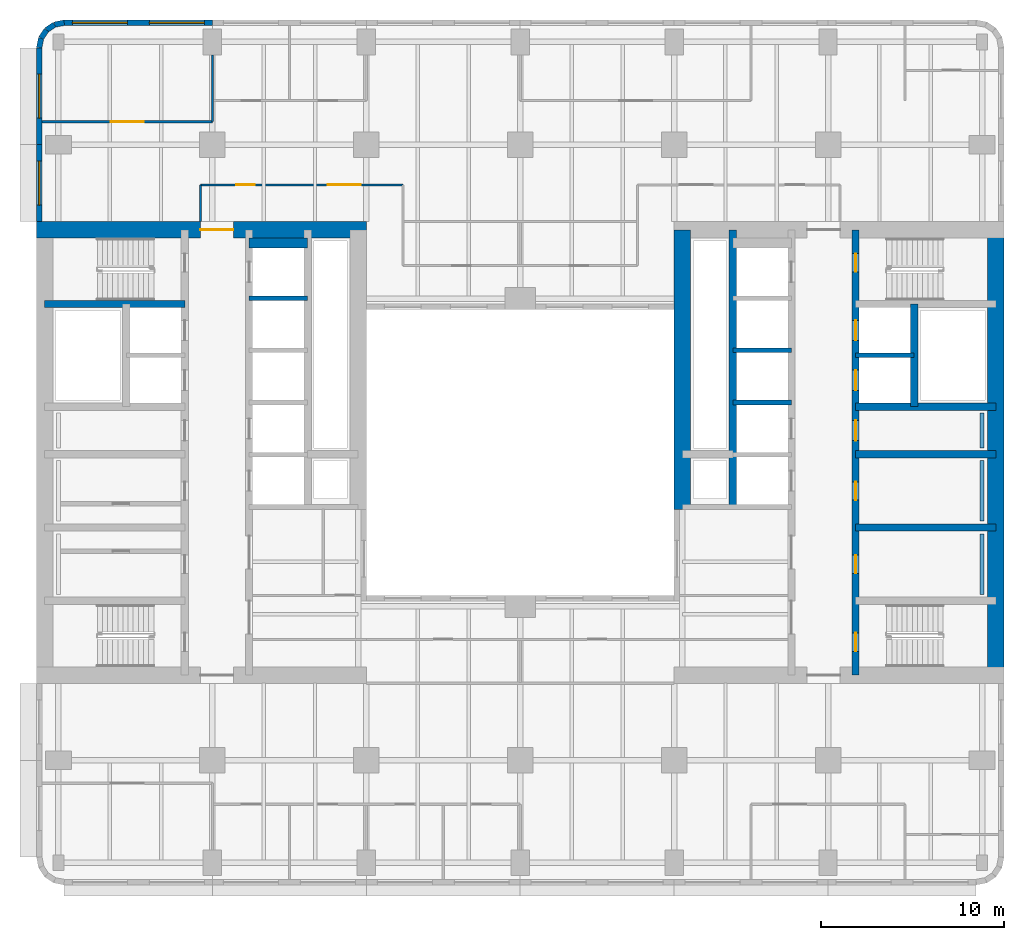
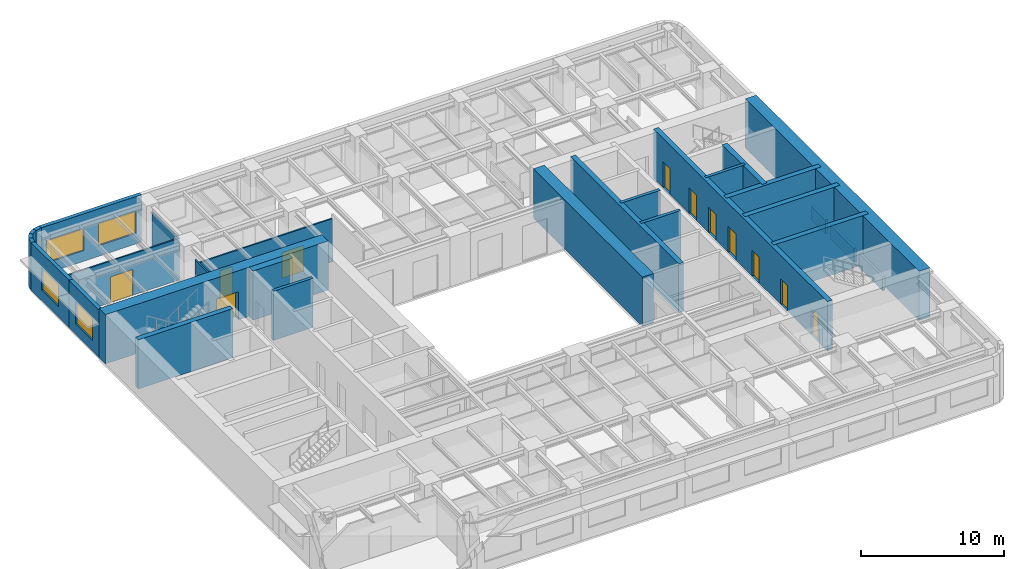
# One storey, part 6 of 11: 29 walls, 11 doors, 4 windows, 15 openings.
"""IFC4 building model written with IfcOpenShell, lengths in metres."""

from ifc_helpers import new_model, si_unit, direction, frame, frame_2d, origin, place, context, subcontext, project, spatial, rectangle, extrude, material, layer, layer_set, type_object, element, fill, save


model = new_model("IFC4")

# Units and contexts
model_context = context("Model", 3, precision=1e-05, world=origin(), true_north=direction((0.0, 1.0)))
body_context = subcontext(model_context, "Body", "Model", "MODEL_VIEW")
ifc_project = project(units=[si_unit("LENGTHUNIT", "METRE"), si_unit("AREAUNIT", "SQUARE_METRE"), si_unit("VOLUMEUNIT", "CUBIC_METRE"), si_unit("PLANEANGLEUNIT", "RADIAN"), si_unit("MASSUNIT", "GRAM", prefix="KILO")], contexts=[model_context])

# Site, building, storey
site_placement = place(None, origin())
site = spatial("IfcSite", under=ifc_project, at=site_placement, CompositionType="ELEMENT")
building_placement = place(site_placement, origin())
building = spatial("IfcBuilding", under=site, at=building_placement, Name="Claustro Exchange Tower", CompositionType="ELEMENT")
storey_placement = place(building_placement, frame((0.0, 0.0, 121.800048828125)))
storey = spatial("IfcBuildingStorey", under=building, at=storey_placement, Name="L27", CompositionType="ELEMENT", Elevation=121.800048828125)

# Wall, opening, door
ifc_material_1 = material(Name="Laminated glass in aluminium frame", Category="aluminium")
ifc_layer_1 = layer(ifc_material_1, 0.1201171875)
ifc_layer_set_1 = layer_set([ifc_layer_1], Name="Laminated glass in aluminium frame")
wall_type_1 = type_object("IfcWallType", Name="P2 120 glazed partition", PredefinedType="PARTITIONING", material=ifc_layer_set_1)
wall_1_placement = place(storey_placement, frame((-0.902099609375, 43.25, 0.0), z_axis=(0.0, 0.0, 1.0), x_axis=(1.0, 0.0, 0.0)))
wall_1 = element("IfcWall", 1, at=wall_1_placement, inside=storey, type_object=wall_type_1, Name="Partition P2 L27", PredefinedType="PARTITIONING", context=body_context, shape_type="SweptSolid", body=[
    extrude(rectangle(XDim=9.302001953125, YDim=0.1201171875, at=frame_2d((4.65087890625, 0.0))), origin(), (0.0, 0.0, 1.0), 3.550048828125),
])
opening_1_placement = place(wall_1_placement, frame((3.751953125, 0.0, 0.0)))
opening_1 = element("IfcOpeningElement", 2, at=opening_1_placement, cuts=wall_1, Name="Opening D2", PredefinedType="OPENING", context=body_context, shape_type="SweptSolid", body=[
    extrude(rectangle(XDim=1.800048828125, YDim=2.199951171875, at=frame_2d((0.89990234375, 1.10009765625))), frame((0.0, 0.070068359375, 0.0), z_axis=(0.0, -1.0, 0.0), x_axis=(1.0, 0.0, 0.0)), (0.0, 0.0, 1.0), 0.14013671875),
])
ifc_material_2 = material(Name="Timber door, oak veneer", Category="wood")
door_type_1 = type_object("IfcDoorType", Name="D2 1800 x 2200 double door", OperationType="DOUBLE_DOOR_SINGLE_SWING", PredefinedType="DOOR", material=ifc_material_2)
door_1_placement = place(opening_1_placement, origin())
door_1 = element("IfcDoor", 3, at=door_1_placement, inside=storey, type_object=door_type_1, Name="Double door D2 L27", OperationType="DOUBLE_DOOR_SINGLE_SWING", OverallHeight=2.199951171875, OverallWidth=1.800048828125, PredefinedType="DOOR", context=body_context, shape_type="SweptSolid", body=[
    extrude(rectangle(XDim=1.800048828125, YDim=2.199951171875, at=frame_2d((0.89990234375, 1.10009765625))), frame((0.0, 0.02490234375, 0.0), z_axis=(0.0, -1.0, 0.0), x_axis=(1.0, 0.0, 0.0)), (0.0, 0.0, 1.0), 0.050048828125),
])
fill(opening_1, door_1)

# Wall
wall_2_placement = place(storey_placement, frame((8.39990234375, 43.25, 0.0), z_axis=(0.0, 0.0, 1.0), x_axis=(0.0, 1.0, 0.0)))
element("IfcWall", 4, at=wall_2_placement, inside=storey, type_object=wall_type_1, Name="Partition P2 L27", PredefinedType="PARTITIONING", context=body_context, shape_type="SweptSolid", body=[
    extrude(rectangle(XDim=3.65087890625, YDim=0.1201171875, at=frame_2d((1.825439453125, 0.0))), origin(), (0.0, 0.0, 1.0), 3.550048828125),
])

# Wall, openings, doors
wall_3_placement = place(storey_placement, frame((7.75, 39.800048828125, 0.0), z_axis=(0.0, 0.0, 1.0), x_axis=(1.0, 0.0, 0.0)))
wall_3 = element("IfcWall", 5, at=wall_3_placement, inside=storey, type_object=wall_type_1, Name="Partition P2 L27", PredefinedType="PARTITIONING", context=body_context, shape_type="SweptSolid", body=[
    extrude(rectangle(XDim=11.050048828125, YDim=0.1201171875, at=frame_2d((5.52490234375, 0.0))), origin(), (0.0, 0.0, 1.0), 3.68994140625),
])
opening_2_placement = place(wall_3_placement, frame((1.949951171875, 0.0, 0.0)))
opening_2 = element("IfcOpeningElement", 6, at=opening_2_placement, cuts=wall_3, Name="Opening D7", PredefinedType="OPENING", context=body_context, shape_type="SweptSolid", body=[
    extrude(rectangle(XDim=1.0, YDim=2.39990234375, at=frame_2d((0.5, 1.199951171875))), frame((0.0, 0.070068359375, 0.0), z_axis=(0.0, -1.0, 0.0), x_axis=(1.0, 0.0, 0.0)), (0.0, 0.0, 1.0), 0.14013671875),
])
opening_3_placement = place(wall_3_placement, frame((6.949951171875, 0.0, 0.0)))
opening_3 = element("IfcOpeningElement", 7, at=opening_3_placement, cuts=wall_3, Name="Opening D2", PredefinedType="OPENING", context=body_context, shape_type="SweptSolid", body=[
    extrude(rectangle(XDim=1.800048828125, YDim=2.199951171875, at=frame_2d((0.89990234375, 1.10009765625))), frame((0.0, 0.070068359375, 0.0), z_axis=(0.0, -1.0, 0.0), x_axis=(1.0, 0.0, 0.0)), (0.0, 0.0, 1.0), 0.14013671875),
])
door_2_placement = place(opening_3_placement, origin())
door_2 = element("IfcDoor", 8, at=door_2_placement, inside=storey, type_object=door_type_1, Name="Double door D2 L27", OperationType="DOUBLE_DOOR_SINGLE_SWING", OverallHeight=2.199951171875, OverallWidth=1.800048828125, PredefinedType="DOOR", context=body_context, shape_type="SweptSolid", body=[
    extrude(rectangle(XDim=1.800048828125, YDim=2.199951171875, at=frame_2d((0.89990234375, 1.10009765625))), frame((0.0, 0.02490234375, 0.0), z_axis=(0.0, -1.0, 0.0), x_axis=(1.0, 0.0, 0.0)), (0.0, 0.0, 1.0), 0.050048828125),
])
fill(opening_3, door_2)
ifc_material_3 = material(Name="Glass door in aluminium frame", Category="aluminium")
door_type_2 = type_object("IfcDoorType", Name="D7 1000 x 2400 glazed door", OperationType="SINGLE_SWING_LEFT", PredefinedType="DOOR", material=ifc_material_3)
door_3_placement = place(opening_2_placement, origin())
door_3 = element("IfcDoor", 9, at=door_3_placement, inside=storey, type_object=door_type_2, Name="Door D7 L27", OperationType="SINGLE_SWING_LEFT", OverallHeight=2.39990234375, OverallWidth=1.0, PredefinedType="DOOR", context=body_context, shape_type="SweptSolid", body=[
    extrude(rectangle(XDim=1.0, YDim=2.39990234375, at=frame_2d((0.5, 1.199951171875))), frame((0.0, 0.02490234375, 0.0), z_axis=(0.0, -1.0, 0.0), x_axis=(1.0, 0.0, 0.0)), (0.0, 0.0, 1.0), 0.050048828125),
])
fill(opening_2, door_3)

# Wall
wall_4_placement = place(storey_placement, frame((7.75, 37.800048828125, 0.0), z_axis=(0.0, 0.0, 1.0), x_axis=(0.0, 1.0, 0.0)))
element("IfcWall", 10, at=wall_4_placement, inside=storey, type_object=wall_type_1, Name="Partition P2 L27", PredefinedType="PARTITIONING", context=body_context, shape_type="SweptSolid", body=[
    extrude(rectangle(XDim=2.0, YDim=0.1201171875, at=frame_2d((1.0, 0.0))), origin(), (0.0, 0.0, 1.0), 4.050048828125),
])

# Wall, opening, window
ifc_material_4 = material(Name="Concrete HA-40 (C40/50), precast, white cement, acid-etched", Category="concrete")
ifc_layer_2 = layer(ifc_material_4, 0.300048828125)
ifc_layer_set_2 = layer_set([ifc_layer_2], Name="Concrete HA-40 (C40/50), precast, white cement, acid-etched")
wall_type_2 = type_object("IfcWallType", Name="PC1 300 precast concrete pier panel", PredefinedType="SOLIDWALL", material=ifc_layer_set_2)
wall_5_placement = place(storey_placement, frame((-1.050048828125, 37.800048828125, 0.0), z_axis=(0.0, 0.0, 1.0), x_axis=(0.0, 1.0, 0.0)))
wall_5 = element("IfcWall", 11, at=wall_5_placement, inside=storey, type_object=wall_type_2, Name="Precast pier panel PC1 L27", PredefinedType="SOLIDWALL", context=body_context, shape_type="SweptSolid", body=[
    extrude(rectangle(XDim=4.199951171875, YDim=0.300048828125, at=frame_2d((2.10009765625, 0.0))), origin(), (0.0, 0.0, 1.0), 4.050048828125),
])
opening_4_placement = place(wall_5_placement, frame((0.89990234375, 0.0, 0.89990234375)))
opening_4 = element("IfcOpeningElement", 12, at=opening_4_placement, cuts=wall_5, Name="Opening W2", PredefinedType="OPENING", context=body_context, shape_type="SweptSolid", body=[
    extrude(rectangle(XDim=2.39990234375, YDim=1.89990234375, at=frame_2d((1.199951171875, 0.949951171875))), frame((0.0, 0.159912109375, 0.0), z_axis=(0.0, -1.0, 0.0), x_axis=(1.0, 0.0, 0.0)), (0.0, 0.0, 1.0), 0.320068359375),
])
ifc_material_5 = material(Name="Aluminium frame, clear double glazing", Category="aluminium")
window_type_1 = type_object("IfcWindowType", Name="W2 2400 x 1900 window", PartitioningType="SINGLE_PANEL", PredefinedType="WINDOW", material=ifc_material_5)
window_1_placement = place(opening_4_placement, origin())
window_1 = element("IfcWindow", 13, at=window_1_placement, inside=storey, type_object=window_type_1, Name="Window W2 L27", OverallHeight=1.89990234375, OverallWidth=2.39990234375, PartitioningType="SINGLE_PANEL", PredefinedType="WINDOW", context=body_context, shape_type="SweptSolid", body=[
    extrude(rectangle(XDim=2.39990234375, YDim=1.89990234375, at=frame_2d((1.199951171875, 0.949951171875))), frame((0.0, 0.030029296875, 0.0), z_axis=(0.0, -1.0, 0.0), x_axis=(1.0, 0.0, 0.0)), (0.0, 0.0, 1.0), 0.06005859375),
])
fill(opening_4, window_1)

wall_6_placement = place(storey_placement, frame((-1.050048828125, 42.0, 0.0), z_axis=(0.0, 0.0, 1.0), x_axis=(0.0, 1.0, 0.0)))
wall_6 = element("IfcWall", 14, at=wall_6_placement, inside=storey, type_object=wall_type_2, Name="Precast pier panel PC1 L27", PredefinedType="SOLIDWALL", context=body_context, shape_type="SweptSolid", body=[
    extrude(rectangle(XDim=5.28515625, YDim=0.300048828125, at=frame_2d((2.642578125, 0.0))), origin(), (0.0, 0.0, 1.0), 4.050048828125),
])
opening_5_placement = place(wall_6_placement, frame((1.442626953125, 0.0, 0.89990234375)))
opening_5 = element("IfcOpeningElement", 15, at=opening_5_placement, cuts=wall_6, Name="Opening W2", PredefinedType="OPENING", context=body_context, shape_type="SweptSolid", body=[
    extrude(rectangle(XDim=2.39990234375, YDim=1.89990234375, at=frame_2d((1.199951171875, 0.949951171875))), frame((0.0, 0.159912109375, 0.0), z_axis=(0.0, -1.0, 0.0), x_axis=(1.0, 0.0, 0.0)), (0.0, 0.0, 1.0), 0.320068359375),
])
window_2_placement = place(opening_5_placement, origin())
window_2 = element("IfcWindow", 16, at=window_2_placement, inside=storey, type_object=window_type_1, Name="Window W2 L27", OverallHeight=1.89990234375, OverallWidth=2.39990234375, PartitioningType="SINGLE_PANEL", PredefinedType="WINDOW", context=body_context, shape_type="SweptSolid", body=[
    extrude(rectangle(XDim=2.39990234375, YDim=1.89990234375, at=frame_2d((1.199951171875, 0.949951171875))), frame((0.0, 0.030029296875, 0.0), z_axis=(0.0, -1.0, 0.0), x_axis=(1.0, 0.0, 0.0)), (0.0, 0.0, 1.0), 0.06005859375),
])
fill(opening_5, window_2)

# Walls
wall_7_placement = place(storey_placement, frame((-1.050048828125, 47.28515625, 0.0), z_axis=(0.0, 0.0, 1.0), x_axis=(0.195073962632, 0.980788534345, 0.0)))
element("IfcWall", 17, at=wall_7_placement, inside=storey, type_object=wall_type_2, Name="Precast pier panel PC1 L27", PredefinedType="SOLIDWALL", context=body_context, shape_type="SweptSolid", body=[
    extrude(rectangle(XDim=0.540771484375, YDim=0.300048828125, at=frame_2d((0.2705078125, 0.0))), origin(), (0.0, 0.0, 1.0), 4.050048828125),
])
wall_8_placement = place(storey_placement, frame((-0.944580078125, 47.8154296875, 0.0), z_axis=(0.0, 0.0, 1.0), x_axis=(0.55534295404, 0.831621430339, 0.0)))
element("IfcWall", 18, at=wall_8_placement, inside=storey, type_object=wall_type_2, Name="Precast pier panel PC1 L27", PredefinedType="SOLIDWALL", context=body_context, shape_type="SweptSolid", body=[
    extrude(rectangle(XDim=0.52587890625, YDim=0.300048828125, at=frame_2d((0.262939453125, 0.0))), origin(), (0.0, 0.0, 1.0), 4.050048828125),
])
wall_9_placement = place(storey_placement, frame((-0.652587890625, 48.252685546875, 0.0), z_axis=(0.0, 0.0, 1.0), x_axis=(0.831692711774, 0.555236195849, 0.0)))
element("IfcWall", 19, at=wall_9_placement, inside=storey, type_object=wall_type_2, Name="Precast pier panel PC1 L27", PredefinedType="SOLIDWALL", context=body_context, shape_type="SweptSolid", body=[
    extrude(rectangle(XDim=0.525390625, YDim=0.300048828125, at=frame_2d((0.2626953125, 0.0))), origin(), (0.0, 0.0, 1.0), 4.050048828125),
])
wall_10_placement = place(storey_placement, frame((-0.215576171875, 48.54443359375, 0.0), z_axis=(0.0, 0.0, 1.0), x_axis=(0.980788534345, 0.195073962632, 0.0)))
element("IfcWall", 20, at=wall_10_placement, inside=storey, type_object=wall_type_2, Name="Precast pier panel PC1 L27", PredefinedType="SOLIDWALL", context=body_context, shape_type="SweptSolid", body=[
    extrude(rectangle(XDim=0.540771484375, YDim=0.300048828125, at=frame_2d((0.2705078125, 0.0))), origin(), (0.0, 0.0, 1.0), 4.050048828125),
])

# Wall, openings, windows
wall_11_placement = place(storey_placement, frame((0.314697265625, 48.64990234375, 0.0), z_axis=(0.0, 0.0, 1.0), x_axis=(1.0, 0.0, 0.0)))
wall_11 = element("IfcWall", 21, at=wall_11_placement, inside=storey, type_object=wall_type_2, Name="Precast pier panel PC1 L27", PredefinedType="SOLIDWALL", context=body_context, shape_type="SweptSolid", body=[
    extrude(rectangle(XDim=8.085205078125, YDim=0.300048828125, at=frame_2d((4.04248046875, 0.0))), origin(), (0.0, 0.0, 1.0), 4.050048828125),
])
opening_6_placement = place(wall_11_placement, frame((0.442626953125, 0.0, 0.89990234375)))
opening_6 = element("IfcOpeningElement", 22, at=opening_6_placement, cuts=wall_11, Name="Opening W1", PredefinedType="OPENING", context=body_context, shape_type="SweptSolid", body=[
    extrude(rectangle(XDim=3.0, YDim=1.89990234375, at=frame_2d((1.5, 0.949951171875))), frame((0.0, 0.159912109375, 0.0), z_axis=(0.0, -1.0, 0.0), x_axis=(1.0, 0.0, 0.0)), (0.0, 0.0, 1.0), 0.320068359375),
])
opening_7_placement = place(wall_11_placement, frame((4.642578125, 0.0, 0.89990234375)))
opening_7 = element("IfcOpeningElement", 23, at=opening_7_placement, cuts=wall_11, Name="Opening W1", PredefinedType="OPENING", context=body_context, shape_type="SweptSolid", body=[
    extrude(rectangle(XDim=3.0, YDim=1.89990234375, at=frame_2d((1.5, 0.949951171875))), frame((0.0, 0.159912109375, 0.0), z_axis=(0.0, -1.0, 0.0), x_axis=(1.0, 0.0, 0.0)), (0.0, 0.0, 1.0), 0.320068359375),
])
ifc_material_6 = material(Name="Aluminium frame, clear double glazing", Category="aluminium")
window_type_2 = type_object("IfcWindowType", Name="W1 3000 x 1900 window", PartitioningType="SINGLE_PANEL", PredefinedType="WINDOW", material=ifc_material_6)
window_3_placement = place(opening_6_placement, origin())
window_3 = element("IfcWindow", 24, at=window_3_placement, inside=storey, type_object=window_type_2, Name="Window W1 L27", OverallHeight=1.89990234375, OverallWidth=3.0, PartitioningType="SINGLE_PANEL", PredefinedType="WINDOW", context=body_context, shape_type="SweptSolid", body=[
    extrude(rectangle(XDim=3.0, YDim=1.89990234375, at=frame_2d((1.5, 0.949951171875))), frame((0.0, 0.030029296875, 0.0), z_axis=(0.0, -1.0, 0.0), x_axis=(1.0, 0.0, 0.0)), (0.0, 0.0, 1.0), 0.06005859375),
])
fill(opening_6, window_3)
window_4_placement = place(opening_7_placement, origin())
window_4 = element("IfcWindow", 25, at=window_4_placement, inside=storey, type_object=window_type_2, Name="Window W1 L27", OverallHeight=1.89990234375, OverallWidth=3.0, PartitioningType="SINGLE_PANEL", PredefinedType="WINDOW", context=body_context, shape_type="SweptSolid", body=[
    extrude(rectangle(XDim=3.0, YDim=1.89990234375, at=frame_2d((1.5, 0.949951171875))), frame((0.0, 0.030029296875, 0.0), z_axis=(0.0, -1.0, 0.0), x_axis=(1.0, 0.0, 0.0)), (0.0, 0.0, 1.0), 0.06005859375),
])
fill(opening_7, window_4)

# Walls
ifc_material_7 = material(Name="Gypsum board on steel studs, tiled", Category="steel")
ifc_layer_3 = layer(ifc_material_7, 0.199951171875)
ifc_layer_set_3 = layer_set([ifc_layer_3], Name="Gypsum board on steel studs, tiled")
wall_type_3 = type_object("IfcWallType", Name="PW1 200 WC duct wall", PredefinedType="PLUMBINGWALL", material=ifc_layer_set_3)
for number, where, z_axis, x_axis, name in (
    (26, (50.39990234375, 17.449951171875, 0.0), (0.0, 0.0, 1.0), (0.0, 1.0, 0.0), "WC duct wall PW1 L27"),
    (27, (50.39990234375, 21.449951171875, 0.0), (0.0, 0.0, 1.0), (0.0, 1.0, 0.0), "WC duct wall PW1 L27"),
):
    element("IfcWall", number, at=place(storey_placement, frame(where, z_axis=z_axis, x_axis=x_axis)), inside=storey, type_object=wall_type_3, Name=name, PredefinedType="PLUMBINGWALL", context=body_context, shape_type="SweptSolid", body=[
        extrude(rectangle(XDim=3.300048828125, YDim=0.199951171875, at=frame_2d((1.64990234375, 0.0))), origin(), (0.0, 0.0, 1.0), 1.199951171875),
    ])
wall_12_placement = place(storey_placement, frame((50.39990234375, 25.449951171875, 0.0), z_axis=(0.0, 0.0, 1.0), x_axis=(0.0, 1.0, 0.0)))
element("IfcWall", 28, at=wall_12_placement, inside=storey, type_object=wall_type_3, Name="WC duct wall PW1 L27", PredefinedType="PLUMBINGWALL", context=body_context, shape_type="SweptSolid", body=[
    extrude(rectangle(XDim=1.900146484375, YDim=0.199951171875, at=frame_2d((0.9501953125, 0.0))), origin(), (0.0, 0.0, 1.0), 1.199951171875),
])

# Wall, opening, door
ifc_material_8 = material(Name="Concrete HA-70 (C70/85)", Category="concrete")
ifc_layer_4 = layer(ifc_material_8, 0.89990234375)
ifc_layer_set_4 = layer_set([ifc_layer_4], Name="Concrete HA-70 (C70/85)")
wall_type_4 = type_object("IfcWallType", Name="SW1 900 core shear wall", PredefinedType="SHEAR", material=ifc_layer_set_4)
wall_13_placement = place(storey_placement, frame((-1.199951171875, 37.35009765625, 0.0), z_axis=(0.0, 0.0, 1.0), x_axis=(1.0, 0.0, 0.0)))
wall_13 = element("IfcWall", 29, at=wall_13_placement, inside=storey, type_object=wall_type_4, Name="Core wall SW1 W core N face L27", PredefinedType="SHEAR", context=body_context, shape_type="SweptSolid", body=[
    extrude(rectangle(XDim=18.0, YDim=0.89990234375, at=frame_2d((9.0, 0.0))), origin(), (0.0, 0.0, 1.0), 4.199951171875),
])
opening_8_placement = place(wall_13_placement, frame((8.949951171875, 0.0, 0.0)))
opening_8 = element("IfcOpeningElement", 30, at=opening_8_placement, cuts=wall_13, Name="Opening D3", PredefinedType="OPENING", context=body_context, shape_type="SweptSolid", body=[
    extrude(rectangle(XDim=1.800048828125, YDim=2.39990234375, at=frame_2d((0.89990234375, 1.199951171875))), frame((0.0, 0.4599609375, 0.0), z_axis=(0.0, -1.0, 0.0), x_axis=(1.0, 0.0, 0.0)), (0.0, 0.0, 1.0), 0.919921875),
])
ifc_material_9 = material(Name="Steel fire door, painted", Category="steel")
door_type_3 = type_object("IfcDoorType", Name="D3 1800 x 2400 fire-rated lobby double door", OperationType="DOUBLE_DOOR_SINGLE_SWING", PredefinedType="DOOR", material=ifc_material_9)
door_4_placement = place(opening_8_placement, frame((1.800048828125, 0.0, 0.0), z_axis=(0.0, 0.0, 1.0), x_axis=(-1.0, 0.0, 0.0)))
door_4 = element("IfcDoor", 31, at=door_4_placement, inside=storey, type_object=door_type_3, Name="Lift lobby door D3 L27", OperationType="DOUBLE_DOOR_SINGLE_SWING", OverallHeight=2.39990234375, OverallWidth=1.800048828125, PredefinedType="DOOR", context=body_context, shape_type="SweptSolid", body=[
    extrude(rectangle(XDim=1.800048828125, YDim=2.39990234375, at=frame_2d((0.89990234375, 1.199951171875))), frame((0.0, 0.02490234375, 0.0), z_axis=(0.0, -1.0, 0.0), x_axis=(1.0, 0.0, 0.0)), (0.0, 0.0, 1.0), 0.050048828125),
])
fill(opening_8, door_4)

# Walls
ifc_material_10 = material(Name="Concrete HA-70 (C70/85)", Category="concrete")
ifc_layer_5 = layer(ifc_material_10, 0.89990234375)
ifc_layer_set_5 = layer_set([ifc_layer_5], Name="Concrete HA-70 (C70/85)")
wall_type_5 = type_object("IfcWallType", Name="SW1X 900 exposed core shear wall, board-marked face", PredefinedType="SHEAR", material=ifc_layer_set_5)
wall_14_placement = place(storey_placement, frame((34.050048828125, 22.10009765625, 0.0), z_axis=(0.0, 0.0, 1.0), x_axis=(0.0, 1.0, 0.0)))
element("IfcWall", 32, at=wall_14_placement, inside=storey, type_object=wall_type_5, Name="Core wall SW1X E core W face L27", PredefinedType="SHEAR", context=body_context, shape_type="SweptSolid", body=[
    extrude(rectangle(XDim=15.25, YDim=0.89990234375, at=frame_2d((7.625, 0.0))), origin(), (0.0, 0.0, 1.0), 4.199951171875),
])
wall_15_placement = place(storey_placement, frame((51.14990234375, 13.050048828125, 0.0), z_axis=(0.0, 0.0, 1.0), x_axis=(0.0, 1.0, 0.0)))
element("IfcWall", 33, at=wall_15_placement, inside=storey, type_object=wall_type_5, Name="Core wall SW1X E core E face L27", PredefinedType="SHEAR", context=body_context, shape_type="SweptSolid", body=[
    extrude(rectangle(XDim=24.300048828125, YDim=0.89990234375, at=frame_2d((12.14990234375, 0.0))), origin(), (0.0, 0.0, 1.0), 4.199951171875),
])
ifc_material_11 = material(Name="Concrete HA-50 (C50/60)", Category="concrete")
ifc_layer_6 = layer(ifc_material_11, 0.39990234375)
ifc_layer_set_6 = layer_set([ifc_layer_6], Name="Concrete HA-50 (C50/60)")
wall_type_6 = type_object("IfcWallType", Name="SW4 400 internal core wall", PredefinedType="SHEAR", material=ifc_layer_set_6)
wall_16_placement = place(storey_placement, frame((-0.75, 33.300048828125, 0.0), z_axis=(0.0, 0.0, 1.0), x_axis=(1.0, 0.0, 0.0)))
element("IfcWall", 34, at=wall_16_placement, inside=storey, type_object=wall_type_6, Name="Internal core wall SW4 W core L27", PredefinedType="SHEAR", context=body_context, shape_type="SweptSolid", body=[
    extrude(rectangle(XDim=7.64990234375, YDim=0.39990234375, at=frame_2d((3.824951171875, 0.0))), origin(), (0.0, 0.0, 1.0), 4.199951171875),
])

# Wall, openings, doors
wall_17_placement = place(storey_placement, frame((43.5, 13.050048828125, 0.0), z_axis=(0.0, 0.0, 1.0), x_axis=(0.0, 1.0, 0.0)))
wall_17 = element("IfcWall", 35, at=wall_17_placement, inside=storey, type_object=wall_type_6, Name="Internal core wall SW4 E core L27", PredefinedType="SHEAR", context=body_context, shape_type="SweptSolid", body=[
    extrude(rectangle(XDim=24.300048828125, YDim=0.39990234375, at=frame_2d((12.14990234375, 0.0))), origin(), (0.0, 0.0, 1.0), 4.199951171875),
])
opening_9_placement = place(wall_17_placement, frame((1.300048828125, 0.0, 0.0)))
opening_9 = element("IfcOpeningElement", 36, at=opening_9_placement, cuts=wall_17, Name="Opening D4", PredefinedType="OPENING", context=body_context, shape_type="SweptSolid", body=[
    extrude(rectangle(XDim=1.0, YDim=2.199951171875, at=frame_2d((0.5, 1.10009765625))), frame((0.0, 0.2099609375, 0.0), z_axis=(0.0, -1.0, 0.0), x_axis=(1.0, 0.0, 0.0)), (0.0, 0.0, 1.0), 0.419921875),
])
opening_10_placement = place(wall_17_placement, frame((22.0, 0.0, 0.0)))
opening_10 = element("IfcOpeningElement", 37, at=opening_10_placement, cuts=wall_17, Name="Opening D4", PredefinedType="OPENING", context=body_context, shape_type="SweptSolid", body=[
    extrude(rectangle(XDim=1.0, YDim=2.199951171875, at=frame_2d((0.5, 1.10009765625))), frame((0.0, 0.2099609375, 0.0), z_axis=(0.0, -1.0, 0.0), x_axis=(1.0, 0.0, 0.0)), (0.0, 0.0, 1.0), 0.419921875),
])
opening_11_placement = place(wall_17_placement, frame((5.550048828125, 0.0, 0.0)))
opening_11 = element("IfcOpeningElement", 38, at=opening_11_placement, cuts=wall_17, Name="Opening D1", PredefinedType="OPENING", context=body_context, shape_type="SweptSolid", body=[
    extrude(rectangle(XDim=1.0, YDim=2.199951171875, at=frame_2d((0.5, 1.10009765625))), frame((0.0, 0.2099609375, 0.0), z_axis=(0.0, -1.0, 0.0), x_axis=(1.0, 0.0, 0.0)), (0.0, 0.0, 1.0), 0.419921875),
])
opening_12_placement = place(wall_17_placement, frame((9.550048828125, 0.0, 0.0)))
opening_12 = element("IfcOpeningElement", 39, at=opening_12_placement, cuts=wall_17, Name="Opening D1", PredefinedType="OPENING", context=body_context, shape_type="SweptSolid", body=[
    extrude(rectangle(XDim=1.0, YDim=2.199951171875, at=frame_2d((0.5, 1.10009765625))), frame((0.0, 0.2099609375, 0.0), z_axis=(0.0, -1.0, 0.0), x_axis=(1.0, 0.0, 0.0)), (0.0, 0.0, 1.0), 0.419921875),
])
opening_13_placement = place(wall_17_placement, frame((12.800048828125, 0.0, 0.0)))
opening_13 = element("IfcOpeningElement", 40, at=opening_13_placement, cuts=wall_17, Name="Opening D10", PredefinedType="OPENING", context=body_context, shape_type="SweptSolid", body=[
    extrude(rectangle(XDim=1.10009765625, YDim=2.199951171875, at=frame_2d((0.550048828125, 1.10009765625))), frame((0.0, 0.2099609375, 0.0), z_axis=(0.0, -1.0, 0.0), x_axis=(1.0, 0.0, 0.0)), (0.0, 0.0, 1.0), 0.419921875),
])
opening_14_placement = place(wall_17_placement, frame((15.53759765625, 0.0, 0.0)))
opening_14 = element("IfcOpeningElement", 41, at=opening_14_placement, cuts=wall_17, Name="Opening LD", PredefinedType="OPENING", context=body_context, shape_type="SweptSolid", body=[
    extrude(rectangle(XDim=1.10009765625, YDim=2.199951171875, at=frame_2d((0.550048828125, 1.10009765625))), frame((0.0, 0.2099609375, 0.0), z_axis=(0.0, -1.0, 0.0), x_axis=(1.0, 0.0, 0.0)), (0.0, 0.0, 1.0), 0.419921875),
])
opening_15_placement = place(wall_17_placement, frame((18.262451171875, 0.0, 0.0)))
opening_15 = element("IfcOpeningElement", 42, at=opening_15_placement, cuts=wall_17, Name="Opening LD", PredefinedType="OPENING", context=body_context, shape_type="SweptSolid", body=[
    extrude(rectangle(XDim=1.10009765625, YDim=2.199951171875, at=frame_2d((0.550048828125, 1.10009765625))), frame((0.0, 0.2099609375, 0.0), z_axis=(0.0, -1.0, 0.0), x_axis=(1.0, 0.0, 0.0)), (0.0, 0.0, 1.0), 0.419921875),
])
ifc_material_12 = material(Name="Timber door, oak veneer", Category="wood")
door_type_4 = type_object("IfcDoorType", Name="D1 1000 x 2200 single door", OperationType="SINGLE_SWING_LEFT", PredefinedType="DOOR", material=ifc_material_12)
door_5_placement = place(opening_11_placement, frame((1.0, 0.0, 0.0), z_axis=(0.0, 0.0, 1.0), x_axis=(-1.0, 0.0, 0.0)))
door_5 = element("IfcDoor", 43, at=door_5_placement, inside=storey, type_object=door_type_4, Name="Door D1 L27", OperationType="SINGLE_SWING_LEFT", OverallHeight=2.199951171875, OverallWidth=1.0, PredefinedType="DOOR", context=body_context, shape_type="SweptSolid", body=[
    extrude(rectangle(XDim=1.0, YDim=2.199951171875, at=frame_2d((0.5, 1.10009765625))), frame((0.0, 0.02490234375, 0.0), z_axis=(0.0, -1.0, 0.0), x_axis=(1.0, 0.0, 0.0)), (0.0, 0.0, 1.0), 0.050048828125),
])
fill(opening_11, door_5)
door_6_placement = place(opening_12_placement, frame((1.0, 0.0, 0.0), z_axis=(0.0, 0.0, 1.0), x_axis=(-1.0, 0.0, 0.0)))
door_6 = element("IfcDoor", 44, at=door_6_placement, inside=storey, type_object=door_type_4, Name="Door D1 L27", OperationType="SINGLE_SWING_LEFT", OverallHeight=2.199951171875, OverallWidth=1.0, PredefinedType="DOOR", context=body_context, shape_type="SweptSolid", body=[
    extrude(rectangle(XDim=1.0, YDim=2.199951171875, at=frame_2d((0.5, 1.10009765625))), frame((0.0, 0.02490234375, 0.0), z_axis=(0.0, -1.0, 0.0), x_axis=(1.0, 0.0, 0.0)), (0.0, 0.0, 1.0), 0.050048828125),
])
fill(opening_12, door_6)
ifc_material_13 = material(Name="Timber door, oak veneer", Category="wood")
door_type_5 = type_object("IfcDoorType", Name="D10 1100 x 2200 accessible WC door", OperationType="SINGLE_SWING_LEFT", PredefinedType="DOOR", material=ifc_material_13)
door_7_placement = place(opening_13_placement, origin())
door_7 = element("IfcDoor", 45, at=door_7_placement, inside=storey, type_object=door_type_5, Name="Accessible WC door D10 L27", OperationType="SINGLE_SWING_RIGHT", OverallHeight=2.199951171875, OverallWidth=1.10009765625, PredefinedType="DOOR", context=body_context, shape_type="SweptSolid", body=[
    extrude(rectangle(XDim=1.10009765625, YDim=2.199951171875, at=frame_2d((0.550048828125, 1.10009765625))), frame((0.0, 0.02490234375, 0.0), z_axis=(0.0, -1.0, 0.0), x_axis=(1.0, 0.0, 0.0)), (0.0, 0.0, 1.0), 0.050048828125),
])
fill(opening_13, door_7)
ifc_material_14 = material(Name="Steel fire door, painted", Category="steel")
door_type_6 = type_object("IfcDoorType", Name="D4 1000 x 2200 fire-rated stair door", OperationType="SINGLE_SWING_LEFT", PredefinedType="DOOR", material=ifc_material_14)
door_8_placement = place(opening_9_placement, frame((1.0, 0.0, 0.0), z_axis=(0.0, 0.0, 1.0), x_axis=(-1.0, 0.0, 0.0)))
door_8 = element("IfcDoor", 46, at=door_8_placement, inside=storey, type_object=door_type_6, Name="Stair door D4 L27", OperationType="SINGLE_SWING_RIGHT", OverallHeight=2.199951171875, OverallWidth=1.0, PredefinedType="DOOR", context=body_context, shape_type="SweptSolid", body=[
    extrude(rectangle(XDim=1.0, YDim=2.199951171875, at=frame_2d((0.5, 1.10009765625))), frame((0.0, 0.02490234375, 0.0), z_axis=(0.0, -1.0, 0.0), x_axis=(1.0, 0.0, 0.0)), (0.0, 0.0, 1.0), 0.050048828125),
])
fill(opening_9, door_8)
door_9_placement = place(opening_10_placement, frame((1.0, 0.0, 0.0), z_axis=(0.0, 0.0, 1.0), x_axis=(-1.0, 0.0, 0.0)))
door_9 = element("IfcDoor", 47, at=door_9_placement, inside=storey, type_object=door_type_6, Name="Stair door D4 L27", OperationType="SINGLE_SWING_LEFT", OverallHeight=2.199951171875, OverallWidth=1.0, PredefinedType="DOOR", context=body_context, shape_type="SweptSolid", body=[
    extrude(rectangle(XDim=1.0, YDim=2.199951171875, at=frame_2d((0.5, 1.10009765625))), frame((0.0, 0.02490234375, 0.0), z_axis=(0.0, -1.0, 0.0), x_axis=(1.0, 0.0, 0.0)), (0.0, 0.0, 1.0), 0.050048828125),
])
fill(opening_10, door_9)
ifc_material_15 = material(Name="Stainless steel sliding door", Category="steel")
door_type_7 = type_object("IfcDoorType", Name="LD 1100 x 2200 lift landing door", OperationType="DOUBLE_DOOR_SLIDING", PredefinedType="DOOR", material=ifc_material_15)
door_10_placement = place(opening_14_placement, origin())
door_10 = element("IfcDoor", 48, at=door_10_placement, inside=storey, type_object=door_type_7, Name="Lift landing door LEE1 LD L27", OperationType="DOUBLE_DOOR_SLIDING", OverallHeight=2.199951171875, OverallWidth=1.10009765625, PredefinedType="DOOR", context=body_context, shape_type="SweptSolid", body=[
    extrude(rectangle(XDim=1.10009765625, YDim=2.199951171875, at=frame_2d((0.550048828125, 1.10009765625))), frame((0.0, 0.02490234375, 0.0), z_axis=(0.0, -1.0, 0.0), x_axis=(1.0, 0.0, 0.0)), (0.0, 0.0, 1.0), 0.050048828125),
])
fill(opening_14, door_10)
door_11_placement = place(opening_15_placement, origin())
door_11 = element("IfcDoor", 49, at=door_11_placement, inside=storey, type_object=door_type_7, Name="Lift landing door LEE2 LD L27", OperationType="DOUBLE_DOOR_SLIDING", OverallHeight=2.199951171875, OverallWidth=1.10009765625, PredefinedType="DOOR", context=body_context, shape_type="SweptSolid", body=[
    extrude(rectangle(XDim=1.10009765625, YDim=2.199951171875, at=frame_2d((0.550048828125, 1.10009765625))), frame((0.0, 0.02490234375, 0.0), z_axis=(0.0, -1.0, 0.0), x_axis=(1.0, 0.0, 0.0)), (0.0, 0.0, 1.0), 0.050048828125),
])
fill(opening_15, door_11)

# Walls
wall_18_placement = place(storey_placement, frame((36.800048828125, 22.22509765625, 0.0), z_axis=(0.0, 0.0, 1.0), x_axis=(0.0, 1.0, 0.0)))
element("IfcWall", 50, at=wall_18_placement, inside=storey, type_object=wall_type_6, Name="Internal core wall SW4 E core L27", PredefinedType="SHEAR", context=body_context, shape_type="SweptSolid", body=[
    extrude(rectangle(XDim=15.125, YDim=0.39990234375, at=frame_2d((7.5625, 0.0))), origin(), (0.0, 0.0, 1.0), 4.199951171875),
])
for number, where, z_axis, x_axis, name in (
    (51, (51.14990234375, 21.10009765625, 0.0), (0.0, 0.0, 1.0), (-1.0, 0.0, 0.0), "Internal core wall SW4 E core L27"),
    (52, (51.14990234375, 25.10009765625, 0.0), (0.0, 0.0, 1.0), (-1.0, 0.0, 0.0), "Internal core wall SW4 E core L27"),
    (53, (51.14990234375, 27.699951171875, 0.0), (0.0, 0.0, 1.0), (-1.0, 0.0, 0.0), "Internal core wall SW4 E core L27"),
):
    element("IfcWall", number, at=place(storey_placement, frame(where, z_axis=z_axis, x_axis=x_axis)), inside=storey, type_object=wall_type_6, Name=name, PredefinedType="SHEAR", context=body_context, shape_type="SweptSolid", body=[
        extrude(rectangle(XDim=7.64990234375, YDim=0.39990234375, at=frame_2d((3.824951171875, 0.0))), origin(), (0.0, 0.0, 1.0), 4.199951171875),
    ])
wall_19_placement = place(storey_placement, frame((46.699951171875, 27.699951171875, 0.0), z_axis=(0.0, 0.0, 1.0), x_axis=(0.0, 1.0, 0.0)))
element("IfcWall", 54, at=wall_19_placement, inside=storey, type_object=wall_type_6, Name="Internal core wall SW4 E core L27", PredefinedType="SHEAR", context=body_context, shape_type="SweptSolid", body=[
    extrude(rectangle(XDim=5.60009765625, YDim=0.39990234375, at=frame_2d((2.800048828125, 0.0))), origin(), (0.0, 0.0, 1.0), 4.199951171875),
])
ifc_material_16 = material(Name="Concrete HA-50 (C50/60)", Category="concrete")
ifc_layer_7 = layer(ifc_material_16, 0.25)
ifc_layer_set_7 = layer_set([ifc_layer_7], Name="Concrete HA-50 (C50/60)")
wall_type_7 = type_object("IfcWallType", Name="SW5 250 lift shaft divider wall", PredefinedType="SHEAR", material=ifc_layer_set_7)
wall_20_placement = place(storey_placement, frame((10.39990234375, 33.625, 0.0), z_axis=(0.0, 0.0, 1.0), x_axis=(1.0, 0.0, 0.0)))
element("IfcWall", 55, at=wall_20_placement, inside=storey, type_object=wall_type_7, Name="Lift shaft wall W core L27", PredefinedType="SHEAR", context=body_context, shape_type="SweptSolid", body=[
    extrude(rectangle(XDim=3.2001953125, YDim=0.25, at=frame_2d((1.60009765625, 0.0))), origin(), (0.0, 0.0, 1.0), 4.199951171875),
])
for number, where, z_axis, x_axis, name in (
    (56, (46.699951171875, 30.5, 0.0), (0.0, 0.0, 1.0), (-1.0, 0.0, 0.0), "Lift shaft wall E core L27"),
    (57, (40.0, 27.925048828125, 0.0), (0.0, 0.0, 1.0), (-1.0, 0.0, 0.0), "Lift shaft wall E core L27"),
    (58, (40.0, 30.77490234375, 0.0), (0.0, 0.0, 1.0), (-1.0, 0.0, 0.0), "Lift shaft wall E core L27"),
):
    element("IfcWall", number, at=place(storey_placement, frame(where, z_axis=z_axis, x_axis=x_axis)), inside=storey, type_object=wall_type_7, Name=name, PredefinedType="SHEAR", context=body_context, shape_type="SweptSolid", body=[
        extrude(rectangle(XDim=3.199951171875, YDim=0.25, at=frame_2d((1.60009765625, 0.0))), origin(), (0.0, 0.0, 1.0), 4.199951171875),
    ])
ifc_material_17 = material(Name="Concrete HA-50 (C50/60)", Category="concrete")
ifc_layer_8 = layer(ifc_material_17, 0.550048828125)
ifc_layer_set_8 = layer_set([ifc_layer_8], Name="Concrete HA-50 (C50/60)")
wall_type_8 = type_object("IfcWallType", Name="SW6 550 lift shaft end wall", PredefinedType="SHEAR", material=ifc_layer_set_8)
wall_21_placement = place(storey_placement, frame((10.39990234375, 36.625, 0.0), z_axis=(0.0, 0.0, 1.0), x_axis=(1.0, 0.0, 0.0)))
element("IfcWall", 59, at=wall_21_placement, inside=storey, type_object=wall_type_8, Name="Lift shaft wall W core L27", PredefinedType="SHEAR", context=body_context, shape_type="SweptSolid", body=[
    extrude(rectangle(XDim=3.2001953125, YDim=0.550048828125, at=frame_2d((1.60009765625, 0.0))), origin(), (0.0, 0.0, 1.0), 4.199951171875),
])

save(model, "model.ifc")
